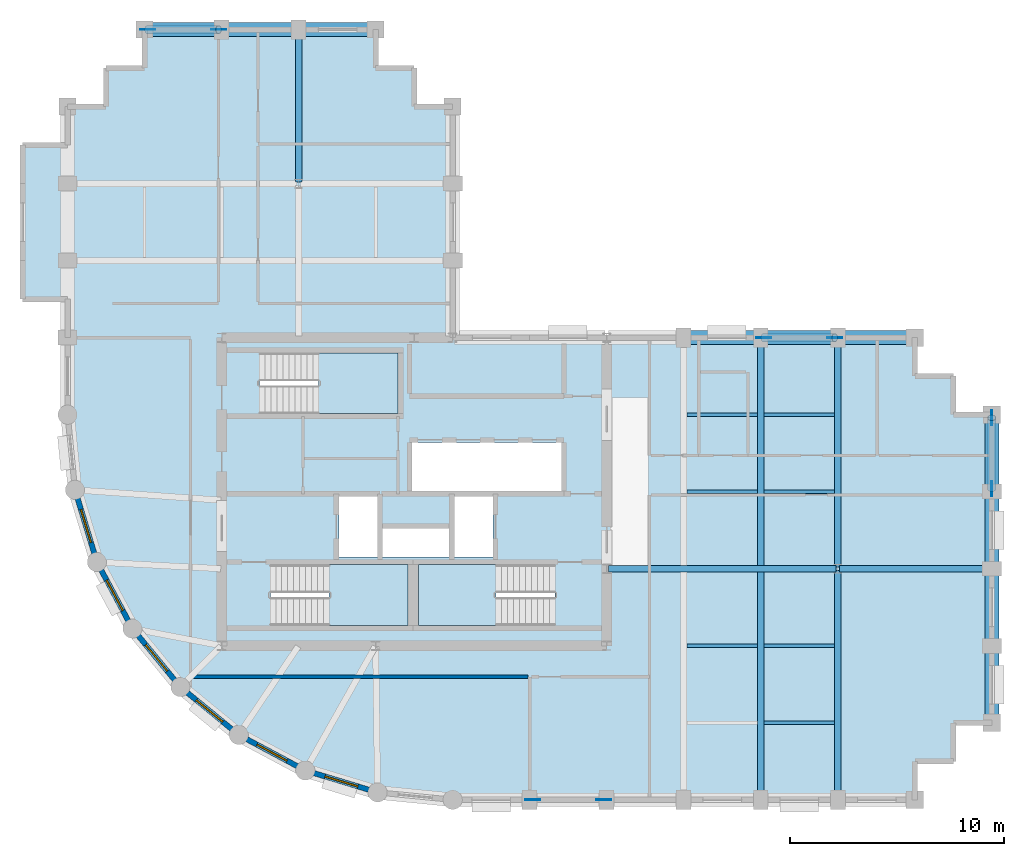
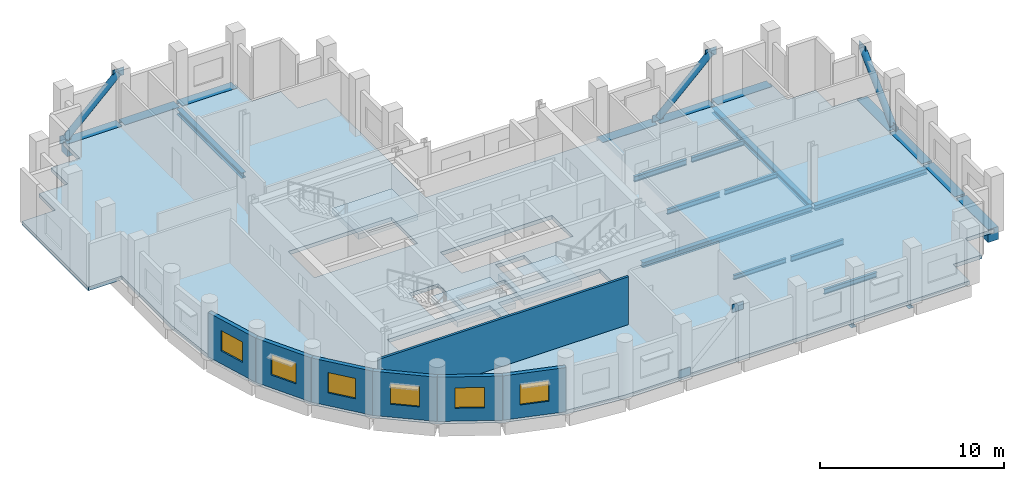
# One storey, part 2 of 8: 23 beams, 8 plates, 7 walls, 6 windows, 4 slabs, 3 members, 6 openings, 3 elements without a shape of their own.
"""IFC4 building model written with IfcOpenShell, lengths in metres."""

import ifcopenshell
import ifcopenshell.guid

model = None  # the IFC model being written
_history = None  # IfcOwnerHistory: only IFC2X3 demands one
_inside = {}  # id of a spatial element -> (the spatial element, [elements in it])
_under = {}  # id of a project, library or spatial element -> (it, [spatial elements below it])
_declared = {}  # id of a project -> (the project, [libraries it declares])
_typed = {}  # id of a type object -> (the type object, [elements of that type])
_made_of = {}  # id of a material, layer set ... -> (it, [elements and type objects made of it])


def new_model(schema):
    """Start an empty IFC model of exactly this schema.

    Asked for "IFC4X3", IfcOpenShell would pick the latest addendum, in which some entities
    have other attributes; the version numbers below select the first issue.
    IFC2X3 requires an IfcOwnerHistory on every rooted entity: one is made here for all.
    """
    global model, _history
    if schema == "IFC4X3":
        model = ifcopenshell.file(schema_version=(4, 3, 0, 0))
    else:
        model = ifcopenshell.file(schema=schema)
    _inside.clear()
    _under.clear()
    _declared.clear()
    _typed.clear()
    _made_of.clear()
    _history = None
    if model.schema == "IFC2X3":
        org = make("IfcOrganization", Name="unknown")
        user = make(
            "IfcPersonAndOrganization",
            ThePerson=make("IfcPerson", FamilyName="unknown"),
            TheOrganization=org,
        )
        app = make(
            "IfcApplication",
            ApplicationDeveloper=org,
            Version="unknown",
            ApplicationFullName="unknown",
            ApplicationIdentifier="unknown",
        )
        _history = make(
            "IfcOwnerHistory",
            OwningUser=user,
            OwningApplication=app,
            ChangeAction="ADDED",
            CreationDate=0,
        )
    return model


def make(cls, **values):
    """One entity of the class cls with the attributes given. An attribute that is None is left unset."""
    return model.create_entity(
        cls, **{name: value for name, value in values.items() if value is not None}
    )


def rooted(cls, **values):
    """An entity with a GlobalId (a new one), such as an element, a storey or a relation."""
    return make(cls, GlobalId=ifcopenshell.guid.new(), OwnerHistory=_history, **values)


def si_unit(unit_type, name, prefix=None):
    """IfcSIUnit, for example si_unit("LENGTHUNIT", "METRE", prefix="MILLI")."""
    return make("IfcSIUnit", UnitType=unit_type, Prefix=prefix, Name=name)


def assignment(units):
    """IfcUnitAssignment: the units of a project."""
    return None if units is None else make("IfcUnitAssignment", Units=units)


def point(xyz):
    """IfcCartesianPoint."""
    return None if xyz is None else make("IfcCartesianPoint", Coordinates=xyz)


def direction(xyz):
    """IfcDirection."""
    return None if xyz is None else make("IfcDirection", DirectionRatios=xyz)


def frame(location, z_axis=None, x_axis=None):
    """IfcAxis2Placement3D, a coordinate frame: its origin and axes. An axis left out is left unset."""
    return make(
        "IfcAxis2Placement3D",
        Location=point(location),
        Axis=direction(z_axis),
        RefDirection=direction(x_axis),
    )


def frame_2d(location, x_axis=None):
    """IfcAxis2Placement2D, a coordinate frame in the plane: its origin and x axis."""
    return make(
        "IfcAxis2Placement2D", Location=point(location), RefDirection=direction(x_axis)
    )


def origin():
    """The frame at (0, 0, 0) with its axes left unset."""
    return frame((0.0, 0.0, 0.0))


def origin_2d():
    """The frame at (0, 0) in the plane with its x axis left unset."""
    return frame_2d((0.0, 0.0))


def place(relative_to, where):
    """IfcLocalPlacement: puts the frame where relative to a parent placement (None: the world)."""
    return make(
        "IfcLocalPlacement", PlacementRelTo=relative_to, RelativePlacement=where
    )


def context(
    kind, dimensions, precision=None, world=None, true_north=None, identifier=None
):
    """IfcGeometricRepresentationContext, for example the 3D "Model" context."""
    return make(
        "IfcGeometricRepresentationContext",
        ContextIdentifier=identifier,
        ContextType=kind,
        CoordinateSpaceDimension=dimensions,
        Precision=precision,
        WorldCoordinateSystem=world,
        TrueNorth=true_north,
    )


def subcontext(parent, identifier, kind, view, scale=None):
    """IfcGeometricRepresentationSubContext, for example "Body" below "Model"."""
    return make(
        "IfcGeometricRepresentationSubContext",
        ContextIdentifier=identifier,
        ContextType=kind,
        ParentContext=parent,
        TargetScale=scale,
        TargetView=view,
    )


def project(units=None, contexts=None):
    """IfcProject with its units and contexts."""
    return rooted(
        "IfcProject",
        Name="project",
        RepresentationContexts=contexts,
        UnitsInContext=assignment(units),
    )


def spatial(cls, under=None, at=None, **own):
    """A site, building, storey or space (cls), placed at a placement, below another one or the project."""
    s = rooted(cls, ObjectPlacement=at, **own)
    if under is not None:
        _under.setdefault(under.id(), (under, []))[1].append(s)
    return s


def polyline(points):
    """IfcPolyline through the points."""
    return make("IfcPolyline", Points=[point(p) for p in points])


def profile(cls, at=None, kind="AREA", **sizes):
    """A parametric profile (cls). Its sizes go by their IFC names, for example OverallWidth=200.0."""
    return make(cls, ProfileType=kind, Position=at, **sizes)


def rectangle(**sizes):
    """IfcRectangleProfileDef."""
    return profile("IfcRectangleProfileDef", **sizes)


def hollow_circle(**sizes):
    """IfcCircleHollowProfileDef."""
    return profile("IfcCircleHollowProfileDef", **sizes)


def i_section(**sizes):
    """IfcIShapeProfileDef."""
    return profile("IfcIShapeProfileDef", **sizes)


def outline(outer, holes=None, kind="AREA"):
    """IfcArbitraryClosedProfileDef: a profile drawn as a closed curve; with holes, ...WithVoids."""
    if holes is None:
        return make("IfcArbitraryClosedProfileDef", ProfileType=kind, OuterCurve=outer)
    return make(
        "IfcArbitraryProfileDefWithVoids",
        ProfileType=kind,
        OuterCurve=outer,
        InnerCurves=holes,
    )


def extrude(swept, where, along, depth):
    """IfcExtrudedAreaSolid: the profile swept, set in the frame where, extruded along a direction by depth."""
    return make(
        "IfcExtrudedAreaSolid",
        SweptArea=swept,
        Position=where,
        ExtrudedDirection=direction(along),
        Depth=depth,
    )


def shape(context_of_items, identifier, shape_type, items):
    """IfcShapeRepresentation: the items that make up one representation, for example the "Body"."""
    return make(
        "IfcShapeRepresentation",
        ContextOfItems=context_of_items,
        RepresentationIdentifier=identifier,
        RepresentationType=shape_type,
        Items=items,
    )


def material(Name=None, Category=None):
    """IfcMaterial."""
    return make("IfcMaterial", Name=Name, Category=Category)


def layer(
    of_material, thickness, ventilated=None, Name=None, Category=None, Priority=None
):
    """IfcMaterialLayer: one layer of a wall or slab, of a material (None: an air gap)."""
    return make(
        "IfcMaterialLayer",
        Material=of_material,
        LayerThickness=thickness,
        IsVentilated=ventilated,
        Name=Name,
        Category=Category,
        Priority=Priority,
    )


def layer_set(layers, Name=None):
    """IfcMaterialLayerSet."""
    return make("IfcMaterialLayerSet", MaterialLayers=layers, LayerSetName=Name)


def material_profile(
    of_material, cross_section, Name=None, Category=None, Priority=None
):
    """IfcMaterialProfile: a cross section and its material."""
    return make(
        "IfcMaterialProfile",
        Name=Name,
        Material=of_material,
        Profile=cross_section,
        Priority=Priority,
        Category=Category,
    )


def profile_set(profiles, Name=None, composite=None):
    """IfcMaterialProfileSet."""
    return make(
        "IfcMaterialProfileSet",
        Name=Name,
        MaterialProfiles=profiles,
        CompositeProfile=composite,
    )


def made_of(thing, what):
    """Note that an element or type object is made of a material, layer set ...; save() writes the relation."""
    if what is not None:
        _made_of.setdefault(what.id(), (what, []))[1].append(thing)
    return thing


def type_object(cls, material=None, **own):
    """A type object (cls), such as IfcWallType, which elements share."""
    return made_of(rooted(cls, **own), material)


def element(
    cls,
    number,
    at=None,
    inside=None,
    cuts=None,
    type_object=None,
    material=None,
    context=None,
    identifier="Body",
    shape_type=None,
    held_by="IfcProductDefinitionShape",
    body=None,
    shapes=None,
    **own,
):
    """One element of the class cls, such as IfcWall. Its Tag is "e" and its number.

    at: its placement. inside: the storey or other place that contains it. cuts: it is an
    opening in that element (IfcRelVoidsElement). A single representation is given by context,
    identifier, shape_type and body (its items); several are given by shapes. held_by: the class
    of the entity that holds the representations. save() writes the other relations.
    """
    e = rooted(cls, Tag="e%d" % number, ObjectPlacement=at, **own)
    if body is not None:
        shapes = [shape(context, identifier, shape_type, body)]
    if shapes is not None:
        e.Representation = make(held_by, Representations=shapes)
    if inside is not None:
        _inside.setdefault(inside.id(), (inside, []))[1].append(e)
    if cuts is not None:
        rooted(
            "IfcRelVoidsElement", RelatingBuildingElement=cuts, RelatedOpeningElement=e
        )
    if type_object is not None:
        _typed.setdefault(type_object.id(), (type_object, []))[1].append(e)
    return made_of(e, material)


def fill(opening, filler):
    """IfcRelFillsElement: the door or window that sits in an opening."""
    return rooted(
        "IfcRelFillsElement",
        RelatingOpeningElement=opening,
        RelatedBuildingElement=filler,
    )


def aggregate(whole, parts):
    """IfcRelAggregates: a whole, such as a stair, and the parts it consists of."""
    return rooted("IfcRelAggregates", RelatingObject=whole, RelatedObjects=parts)


def save(model, path):
    """Write the relations noted so far, then the file.

    IfcRelAggregates (storeys below a building ...), IfcRelContainedInSpatialStructure (elements
    in a storey), IfcRelDefinesByType, IfcRelAssociatesMaterial and IfcRelDeclares: one each for
    every whole, place, type object, material and project.
    """
    for whole, parts in _under.values():
        aggregate(whole, parts)
    for where, things in _inside.values():
        rooted(
            "IfcRelContainedInSpatialStructure",
            RelatedElements=things,
            RelatingStructure=where,
        )
    for kind, things in _typed.values():
        rooted("IfcRelDefinesByType", RelatedObjects=things, RelatingType=kind)
    for what, things in _made_of.values():
        rooted("IfcRelAssociatesMaterial", RelatedObjects=things, RelatingMaterial=what)
    for by, libraries in _declared.values():
        rooted("IfcRelDeclares", RelatingContext=by, RelatedDefinitions=libraries)
    model.write(path)


model = new_model("IFC4")

# Units and contexts
model_context = context("Model", 3, precision=1e-05, world=origin(), true_north=direction((0.0, 1.0)))
body_context = subcontext(model_context, "Body", "Model", "MODEL_VIEW")
ifc_project = project(units=[si_unit("LENGTHUNIT", "METRE"), si_unit("AREAUNIT", "SQUARE_METRE"), si_unit("VOLUMEUNIT", "CUBIC_METRE"), si_unit("PLANEANGLEUNIT", "RADIAN"), si_unit("MASSUNIT", "GRAM", prefix="KILO")], contexts=[model_context])

# Site, building, storey
site_placement = place(None, origin())
site = spatial("IfcSite", under=ifc_project, at=site_placement, CompositionType="ELEMENT")
building_placement = place(site_placement, origin())
building = spatial("IfcBuilding", under=site, at=building_placement, Name="Solnavia Interchange Tower", CompositionType="ELEMENT")
storey_placement = place(building_placement, frame((0.0, 0.0, 190.0)))
storey = spatial("IfcBuildingStorey", under=building, at=storey_placement, Name="L47", CompositionType="ELEMENT", Elevation=190.0)

# Beams
ifc_material_1 = material(Name="Steel S460", Category="steel")
ifc_material_profile_1 = material_profile(ifc_material_1, i_section(OverallWidth=0.300048828125, OverallDepth=0.360107421875, WebThickness=0.012451171875, FlangeThickness=0.0224609375, FilletRadius=0.027099609375, at=origin_2d()), Name="HEB 360")
ifc_profile_set_1 = profile_set([ifc_material_profile_1], Name="Steel S460")
beam_type_1 = type_object("IfcBeamType", Name="Beam-Girder-HEB360", PredefinedType="BEAM", material=ifc_profile_set_1)
beam_1_placement = place(storey_placement, frame((32.47998046875, 14.39990234375, -0.429931640625), z_axis=(1.0, 0.0, 0.0), x_axis=(0.0, 1.0, 0.0)))
element("IfcBeam", 1, at=beam_1_placement, inside=storey, type_object=beam_type_1, Name="GRD-L47-ES01 East wing spine girder", PredefinedType="BEAM", context=body_context, shape_type="SweptSolid", body=[
    extrude(i_section(OverallWidth=0.300048828125, OverallDepth=0.360107421875, WebThickness=0.012451171875, FlangeThickness=0.0224609375, FilletRadius=0.027099609375, at=origin_2d()), origin(), (0.0, 0.0, 1.0), 10.64013671875),
])
beam_2_placement = place(storey_placement, frame((43.280029296875, 14.39990234375, -0.429931640625), z_axis=(1.0, 0.0, 0.0), x_axis=(0.0, 1.0, 0.0)))
element("IfcBeam", 2, at=beam_2_placement, inside=storey, type_object=beam_type_1, Name="GRD-L47-ES02 East wing spine girder", PredefinedType="BEAM", context=body_context, shape_type="SweptSolid", body=[
    extrude(i_section(OverallWidth=0.300048828125, OverallDepth=0.360107421875, WebThickness=0.012451171875, FlangeThickness=0.0224609375, FilletRadius=0.027099609375, at=origin_2d()), origin(), (0.0, 0.0, 1.0), 7.0400390625),
])
beam_3_placement = place(storey_placement, frame((39.60009765625, 3.679931640625, -0.429931640625), z_axis=(0.0, 1.0, 0.0), x_axis=(-1.0, 0.0, 0.0)))
element("IfcBeam", 3, at=beam_3_placement, inside=storey, type_object=beam_type_1, Name="GRD-L47-EW04 East wing primary floor girder", PredefinedType="BEAM", context=body_context, shape_type="SweptSolid", body=[
    extrude(i_section(OverallWidth=0.300048828125, OverallDepth=0.360107421875, WebThickness=0.012451171875, FlangeThickness=0.0224609375, FilletRadius=0.027099609375, at=origin_2d()), origin(), (0.0, 0.0, 1.0), 21.440185546875),
])
beam_4_placement = place(storey_placement, frame((18.0, 32.47998046875, -0.429931640625), z_axis=(0.0, 1.0, 0.0), x_axis=(-1.0, 0.0, 0.0)))
element("IfcBeam", 4, at=beam_4_placement, inside=storey, type_object=beam_type_1, Name="GRD-L47-NS08 North wing spine girder", PredefinedType="BEAM", context=body_context, shape_type="SweptSolid", body=[
    extrude(i_section(OverallWidth=0.300048828125, OverallDepth=0.360107421875, WebThickness=0.012451171875, FlangeThickness=0.0224609375, FilletRadius=0.027099609375, at=origin_2d()), origin(), (0.0, 0.0, 1.0), 7.0400390625),
])
ifc_material_2 = material(Name="Steel S355", Category="steel")
ifc_material_profile_2 = material_profile(ifc_material_2, i_section(OverallWidth=0.14990234375, OverallDepth=0.300048828125, WebThickness=0.007080078125, FlangeThickness=0.0107421875, FilletRadius=0.014892578125, at=origin_2d()), Name="IPE 300")
ifc_profile_set_2 = profile_set([ifc_material_profile_2], Name="Steel S355")
beam_type_2 = type_object("IfcBeamType", Name="Beam-Joist-IPE300", PredefinedType="JOIST", material=ifc_profile_set_2)
for number, where, z_axis, x_axis, name in (
    (5, (36.14990234375, 10.800048828125, -0.39990234375), (1.0, 0.0, 0.0), (0.0, 1.0, 0.0), "JST-L47-E03 East wing secondary joist"),
    (6, (39.75, 18.0, -0.39990234375), (1.0, 0.0, 0.0), (0.0, 1.0, 0.0), "JST-L47-E06 East wing secondary joist"),
):
    element("IfcBeam", number, at=place(storey_placement, frame(where, z_axis=z_axis, x_axis=x_axis)), inside=storey, type_object=beam_type_2, Name=name, PredefinedType="JOIST", context=body_context, shape_type="SweptSolid", body=[
        extrude(i_section(OverallWidth=0.14990234375, OverallDepth=0.300048828125, WebThickness=0.007080078125, FlangeThickness=0.0107421875, FilletRadius=0.014892578125, at=origin_2d()), origin(), (0.0, 0.0, 1.0), 3.300048828125),
    ])
ifc_material_profile_3 = material_profile(ifc_material_2, i_section(OverallWidth=0.159912109375, OverallDepth=0.330078125, WebThickness=0.007568359375, FlangeThickness=0.011474609375, FilletRadius=0.01806640625, at=origin_2d()), Name="IPE 330")
ifc_profile_set_3 = profile_set([ifc_material_profile_3], Name="Steel S355")
beam_type_3 = type_object("IfcBeamType", Name="Beam-Joist-IPE330", PredefinedType="JOIST", material=ifc_profile_set_3)
for number, where, z_axis, x_axis, name in (
    (7, (39.75, 7.199951171875, -0.4150390625), (1.0, 0.0, 0.0), (0.0, 1.0, 0.0), "JST-L47-E02 East wing secondary joist"),
    (8, (36.14990234375, 18.0, -0.4150390625), (1.0, 0.0, 0.0), (0.0, 1.0, 0.0), "JST-L47-E05 East wing secondary joist"),
    (9, (39.75, 21.60009765625, -0.4150390625), (1.0, 0.0, 0.0), (0.0, 1.0, 0.0), "JST-L47-E08 East wing secondary joist"),
):
    element("IfcBeam", number, at=place(storey_placement, frame(where, z_axis=z_axis, x_axis=x_axis)), inside=storey, type_object=beam_type_3, Name=name, PredefinedType="JOIST", context=body_context, shape_type="SweptSolid", body=[
        extrude(i_section(OverallWidth=0.159912109375, OverallDepth=0.330078125, WebThickness=0.007568359375, FlangeThickness=0.011474609375, FilletRadius=0.01806640625, at=origin_2d()), origin(), (0.0, 0.0, 1.0), 3.300048828125),
    ])
ifc_material_profile_4 = material_profile(ifc_material_2, i_section(OverallWidth=0.169921875, OverallDepth=0.360107421875, WebThickness=0.008056640625, FlangeThickness=0.0126953125, FilletRadius=0.01806640625, at=origin_2d()), Name="IPE 360")
ifc_profile_set_4 = profile_set([ifc_material_profile_4], Name="Steel S355")
beam_type_4 = type_object("IfcBeamType", Name="Beam-Joist-IPE360", PredefinedType="JOIST", material=ifc_profile_set_4)
for number, where, z_axis, x_axis, name in (
    (10, (39.75, 10.800048828125, -0.429931640625), (1.0, 0.0, 0.0), (0.0, 1.0, 0.0), "JST-L47-E04 East wing secondary joist"),
    (11, (36.14990234375, 21.60009765625, -0.429931640625), (1.0, 0.0, 0.0), (0.0, 1.0, 0.0), "JST-L47-E07 East wing secondary joist"),
):
    element("IfcBeam", number, at=place(storey_placement, frame(where, z_axis=z_axis, x_axis=x_axis)), inside=storey, type_object=beam_type_4, Name=name, PredefinedType="JOIST", context=body_context, shape_type="SweptSolid", body=[
        extrude(i_section(OverallWidth=0.169921875, OverallDepth=0.360107421875, WebThickness=0.008056640625, FlangeThickness=0.0126953125, FilletRadius=0.01806640625, at=origin_2d()), origin(), (0.0, 0.0, 1.0), 3.300048828125),
    ])
ifc_material_profile_5 = material_profile(ifc_material_2, i_section(OverallWidth=0.300048828125, OverallDepth=0.35009765625, WebThickness=0.010009765625, FlangeThickness=0.017578125, FilletRadius=0.027099609375, at=origin_2d()), Name="HEA 360")
ifc_profile_set_5 = profile_set([ifc_material_profile_5], Name="Steel S355")
beam_type_5 = type_object("IfcBeamType", Name="Beam-Primary-HEA360", PredefinedType="BEAM", material=ifc_profile_set_5)
for number, where, z_axis, x_axis, name in (
    (12, (43.199951171875, 3.679931640625, -0.425048828125), (0.0, 1.0, 0.0), (-1.0, 0.0, 0.0), "GRD-L47-EW05 East wing primary floor girder"),
    (13, (43.199951171875, 14.47998046875, -0.425048828125), (0.0, 1.0, 0.0), (-1.0, 0.0, 0.0), "GRD-L47-EW06 East wing primary floor girder"),
):
    element("IfcBeam", number, at=place(storey_placement, frame(where, z_axis=z_axis, x_axis=x_axis)), inside=storey, type_object=beam_type_5, Name=name, PredefinedType="BEAM", context=body_context, shape_type="SweptSolid", body=[
        extrude(i_section(OverallWidth=0.300048828125, OverallDepth=0.35009765625, WebThickness=0.010009765625, FlangeThickness=0.017578125, FilletRadius=0.027099609375, at=origin_2d()), origin(), (0.0, 0.0, 1.0), 10.64013671875),
    ])
ifc_material_3 = material(Name="Concrete C50/60", Category="concrete")
ifc_material_profile_6 = material_profile(ifc_material_3, rectangle(XDim=0.64990234375, YDim=0.85009765625, at=origin_2d()), Name="RC 650x850")
ifc_profile_set_6 = profile_set([ifc_material_profile_6], Name="Concrete C50/60")
beam_type_6 = type_object("IfcBeamType", Name="Beam-Spandrel-RC650x850", PredefinedType="SPANDREL", material=ifc_profile_set_6)
beam_5_placement = place(storey_placement, frame((50.39990234375, 7.280029296875, -0.425048828125), z_axis=(0.0, 1.0, 0.0), x_axis=(-1.0, 0.0, 0.0)))
element("IfcBeam", 14, at=beam_5_placement, inside=storey, type_object=beam_type_6, Name="SPB-L47-15 Framed-tube perimeter spandrel beam", PredefinedType="SPANDREL", context=body_context, shape_type="SweptSolid", body=[
    extrude(rectangle(XDim=0.64990234375, YDim=0.85009765625, at=origin_2d()), origin(), (0.0, 0.0, 1.0), 3.43994140625),
])
beam_6_placement = place(storey_placement, frame((50.39990234375, 10.8798828125, -0.425048828125), z_axis=(0.0, 1.0, 0.0), x_axis=(-1.0, 0.0, 0.0)))
element("IfcBeam", 15, at=beam_6_placement, inside=storey, type_object=beam_type_6, Name="SPB-L47-16 Framed-tube perimeter spandrel beam", PredefinedType="SPANDREL", context=body_context, shape_type="SweptSolid", body=[
    extrude(rectangle(XDim=0.64990234375, YDim=0.85009765625, at=origin_2d()), origin(), (0.0, 0.0, 1.0), 3.440185546875),
])
for number, where, z_axis, x_axis, name in (
    (16, (50.39990234375, 14.47998046875, -0.425048828125), (0.0, 1.0, 0.0), (-1.0, 0.0, 0.0), "SPB-L47-17 Framed-tube perimeter spandrel beam"),
    (17, (50.39990234375, 18.080078125, -0.425048828125), (0.0, 1.0, 0.0), (-1.0, 0.0, 0.0), "SPB-L47-18 Framed-tube perimeter spandrel beam"),
    (18, (46.719970703125, 25.199951171875, -0.425048828125), (-1.0, 0.0, 0.0), (0.0, -1.0, 0.0), "SPB-L47-19 Framed-tube perimeter spandrel beam"),
):
    element("IfcBeam", number, at=place(storey_placement, frame(where, z_axis=z_axis, x_axis=x_axis)), inside=storey, type_object=beam_type_6, Name=name, PredefinedType="SPANDREL", context=body_context, shape_type="SweptSolid", body=[
        extrude(rectangle(XDim=0.64990234375, YDim=0.85009765625, at=origin_2d()), origin(), (0.0, 0.0, 1.0), 3.43994140625),
    ])
beam_7_placement = place(storey_placement, frame((43.1201171875, 25.199951171875, -0.425048828125), z_axis=(-1.0, 0.0, 0.0), x_axis=(0.0, -1.0, 0.0)))
element("IfcBeam", 19, at=beam_7_placement, inside=storey, type_object=beam_type_6, Name="SPB-L47-20 Framed-tube perimeter spandrel beam", PredefinedType="SPANDREL", context=body_context, shape_type="SweptSolid", body=[
    extrude(rectangle(XDim=0.64990234375, YDim=0.85009765625, at=origin_2d()), origin(), (0.0, 0.0, 1.0), 3.440185546875),
])
for number, where, z_axis, x_axis, name in (
    (20, (39.52001953125, 25.199951171875, -0.425048828125), (-1.0, 0.0, 0.0), (0.0, -1.0, 0.0), "SPB-L47-21 Framed-tube perimeter spandrel beam"),
    (21, (21.52001953125, 39.60009765625, -0.425048828125), (-1.0, 0.0, 0.0), (0.0, -1.0, 0.0), "SPB-L47-27 Framed-tube perimeter spandrel beam"),
    (22, (17.919921875, 39.60009765625, -0.425048828125), (-1.0, 0.0, 0.0), (0.0, -1.0, 0.0), "SPB-L47-28 Framed-tube perimeter spandrel beam"),
):
    element("IfcBeam", number, at=place(storey_placement, frame(where, z_axis=z_axis, x_axis=x_axis)), inside=storey, type_object=beam_type_6, Name=name, PredefinedType="SPANDREL", context=body_context, shape_type="SweptSolid", body=[
        extrude(rectangle(XDim=0.64990234375, YDim=0.85009765625, at=origin_2d()), origin(), (0.0, 0.0, 1.0), 3.43994140625),
    ])
beam_8_placement = place(storey_placement, frame((14.320068359375, 39.60009765625, -0.425048828125), z_axis=(-1.0, 0.0, 0.0), x_axis=(0.0, -1.0, 0.0)))
element("IfcBeam", 23, at=beam_8_placement, inside=storey, type_object=beam_type_6, Name="SPB-L47-29 Framed-tube perimeter spandrel beam", PredefinedType="SPANDREL", context=body_context, shape_type="SweptSolid", body=[
    extrude(rectangle(XDim=0.64990234375, YDim=0.85009765625, at=origin_2d()), origin(), (0.0, 0.0, 1.0), 3.440185546875),
])

# Members
ifc_material_profile_7 = material_profile(ifc_material_1, hollow_circle(Radius=0.203125, WallThickness=0.02001953125, at=origin_2d()), Name="CHS 406.4x20")
ifc_profile_set_7 = profile_set([ifc_material_profile_7], Name="Steel S460")
member_type = type_object("IfcMemberType", Name="Brace-Perim-CHS406", PredefinedType="BRACE", material=ifc_profile_set_7)
for number, where, z_axis, x_axis, name in (
    (24, (50.39990234375, 18.139892578125, 0.179931640625), (0.0, 0.721070427335, 0.692861774688), (-1.0, 0.0, 0.0), "BRC-L47-02 Perimeter tube diagonal brace"),
    (25, (10.93994140625, 39.60009765625, 0.179931640625), (0.721070427335, 0.0, 0.692861774688), (0.0, 1.0, 0.0), "BRC-L47-03 Perimeter tube diagonal brace"),
    (26, (39.739990234375, 25.199951171875, 0.179931640625), (0.721070427335, 0.0, 0.692861774688), (0.0, 1.0, 0.0), "BRC-L47-04 Perimeter tube diagonal brace"),
):
    element("IfcMember", number, at=place(storey_placement, frame(where, z_axis=z_axis, x_axis=x_axis)), inside=storey, type_object=member_type, Name=name, PredefinedType="BRACE", context=body_context, shape_type="SweptSolid", body=[
        extrude(hollow_circle(Radius=0.203125, WallThickness=0.02001953125, at=origin_2d()), origin(), (0.0, 0.0, 1.0), 4.604248046875),
    ])

# Plates
ifc_layer_1 = layer(ifc_material_1, 0.030029296875)
ifc_layer_set_1 = layer_set([ifc_layer_1], Name="Steel S460")
plate_type = type_object("IfcPlateType", Name="Plate-Gusset-700x520x30", PredefinedType="USERDEFINED", material=ifc_layer_set_1)
for number, where, z_axis, x_axis, name in (
    (27, (28.93994140625, 3.60009765625, -0.080078125), (0.0, 0.0, 1.0), (1.0, 0.0, 0.0), "PLT-L47-GP01 Perimeter brace gusset plate"),
    (28, (32.260009765625, 3.60009765625, 3.110107421875), (0.0, 0.0, 1.0), (1.0, 0.0, 0.0), "PLT-L47-GP02 Perimeter brace gusset plate"),
    (29, (50.39990234375, 18.139892578125, -0.080078125), (0.0, 0.0, 1.0), (0.0, 1.0, 0.0), "PLT-L47-GP03 Perimeter brace gusset plate"),
    (30, (50.39990234375, 21.4599609375, 3.110107421875), (0.0, 0.0, 1.0), (0.0, 1.0, 0.0), "PLT-L47-GP04 Perimeter brace gusset plate"),
    (31, (10.93994140625, 39.60009765625, -0.080078125), (0.0, 0.0, 1.0), (1.0, 0.0, 0.0), "PLT-L47-GP05 Perimeter brace gusset plate"),
    (32, (14.260009765625, 39.60009765625, 3.110107421875), (0.0, 0.0, 1.0), (1.0, 0.0, 0.0), "PLT-L47-GP06 Perimeter brace gusset plate"),
    (33, (39.739990234375, 25.199951171875, -0.080078125), (0.0, 0.0, 1.0), (1.0, 0.0, 0.0), "PLT-L47-GP07 Perimeter brace gusset plate"),
    (34, (43.06005859375, 25.199951171875, 3.110107421875), (0.0, 0.0, 1.0), (1.0, 0.0, 0.0), "PLT-L47-GP08 Perimeter brace gusset plate"),
):
    element("IfcPlate", number, at=place(storey_placement, frame(where, z_axis=z_axis, x_axis=x_axis)), inside=storey, type_object=plate_type, Name=name, ObjectType="GUSSET PLATE", PredefinedType="USERDEFINED", context=body_context, shape_type="SweptSolid", body=[
        extrude(rectangle(XDim=0.699951171875, YDim=0.030029296875, at=origin_2d()), origin(), (0.0, 0.0, 1.0), 0.52001953125),
    ])

# Stair, slab
ifc_material_4 = material(Name="Concrete C40/50", Category="concrete")
stair_type = type_object("IfcStairType", Name="Stair-Dogleg-RC", PredefinedType="HALF_TURN_STAIR", material=ifc_material_4)
stair_1_placement = place(storey_placement, origin())
stair_1 = element("IfcStair", 35, at=stair_1_placement, inside=storey, type_object=stair_type, Name="L47 Core exit stair 1", PredefinedType="HALF_TURN_STAIR")
ifc_layer_2 = layer(ifc_material_4, 0.35009765625)
ifc_layer_set_2 = layer_set([ifc_layer_2], Name="Concrete C40/50")
slab_type_1 = type_object("IfcSlabType", Name="Slab-StairLanding-350", PredefinedType="LANDING", material=ifc_layer_set_2)
slab_1_placement = place(storey_placement, frame((0.0, 0.0, 1.550048828125)))
slab_1 = element("IfcSlab", 36, at=slab_1_placement, type_object=slab_type_1, Name="ST-1 landing 1", PredefinedType="LANDING", context=body_context, shape_type="SweptSolid", body=[
    extrude(outline(polyline([(19.427978515625, 11.75), (23.10009765625, 11.75), (23.10009765625, 14.590087890625), (19.427978515625, 14.590087890625), (19.427978515625, 11.75)])), origin(), (0.0, 0.0, 1.0), 0.349853515625),
])
aggregate(stair_1, [slab_1])

stair_2_placement = place(storey_placement, origin())
stair_2 = element("IfcStair", 37, at=stair_2_placement, inside=storey, type_object=stair_type, Name="L47 Core exit stair 2", PredefinedType="HALF_TURN_STAIR")
slab_2_placement = place(storey_placement, frame((0.0, 0.0, 1.550048828125)))
slab_2 = element("IfcSlab", 38, at=slab_2_placement, type_object=slab_type_1, Name="ST-2 landing 1", PredefinedType="LANDING", context=body_context, shape_type="SweptSolid", body=[
    extrude(outline(polyline([(23.60009765625, 11.75), (27.221923828125, 11.75), (27.221923828125, 14.590087890625), (23.60009765625, 14.590087890625), (23.60009765625, 11.75)])), origin(), (0.0, 0.0, 1.0), 0.349853515625),
])
aggregate(stair_2, [slab_2])

stair_3_placement = place(storey_placement, origin())
stair_3 = element("IfcStair", 39, at=stair_3_placement, inside=storey, type_object=stair_type, Name="L47 Core exit stair 3", PredefinedType="HALF_TURN_STAIR")
slab_3_placement = place(storey_placement, frame((0.0, 0.0, 1.550048828125)))
slab_3 = element("IfcSlab", 40, at=slab_3_placement, type_object=slab_type_1, Name="ST-3 landing 1", PredefinedType="LANDING", context=body_context, shape_type="SweptSolid", body=[
    extrude(outline(polyline([(18.927978515625, 21.64990234375), (22.64990234375, 21.64990234375), (22.64990234375, 24.489990234375), (18.927978515625, 24.489990234375), (18.927978515625, 21.64990234375)])), origin(), (0.0, 0.0, 1.0), 0.349853515625),
])
aggregate(stair_3, [slab_3])

# Slab
ifc_layer_3 = layer(ifc_material_4, 0.25)
ifc_layer_set_3 = layer_set([ifc_layer_3], Name="Concrete C40/50")
slab_type_2 = type_object("IfcSlabType", Name="Slab-Tower-250", PredefinedType="FLOOR", material=ifc_layer_set_3)
slab_4_placement = place(storey_placement, frame((0.0, 0.0, -0.25)))
element("IfcSlab", 41, at=slab_4_placement, inside=storey, type_object=slab_type_2, Name="SLB-L47-01 Structural floor slab", PredefinedType="FLOOR", context=body_context, shape_type="SweptSolid", body=[
    extrude(outline(polyline([(25.199951171875, 3.60009765625), (46.800048828125, 3.60009765625), (46.800048828125, 5.39990234375), (48.60009765625, 5.39990234375), (48.60009765625, 7.199951171875), (50.39990234375, 7.199951171875), (50.39990234375, 21.60009765625), (48.60009765625, 21.60009765625), (48.60009765625, 23.39990234375), (46.800048828125, 23.39990234375), (46.800048828125, 25.199951171875), (25.199951171875, 25.199951171875), (25.199951171875, 36.0), (23.39990234375, 36.0), (23.39990234375, 37.800048828125), (21.60009765625, 37.800048828125), (21.60009765625, 39.60009765625), (10.800048828125, 39.60009765625), (10.800048828125, 37.800048828125), (9.0, 37.800048828125), (9.0, 36.0), (7.199951171875, 36.0), (7.199951171875, 34.199951171875), (5.10009765625, 34.199951171875), (5.10009765625, 27.0), (7.199951171875, 27.0), (7.199951171875, 21.60009765625), (7.5458984375, 18.087890625), (8.570068359375, 14.7119140625), (10.23388671875, 11.60009765625), (12.471923828125, 8.8720703125), (15.199951171875, 6.634033203125), (18.31201171875, 4.969970703125), (21.68798828125, 3.946044921875), (25.199951171875, 3.60009765625)]), holes=[polyline([(16.675048828125, 11.75), (23.10009765625, 11.75), (23.10009765625, 14.590087890625), (16.675048828125, 14.590087890625), (16.675048828125, 11.75)]), polyline([(23.60009765625, 11.75), (29.97509765625, 11.75), (29.97509765625, 14.590087890625), (23.60009765625, 14.590087890625), (23.60009765625, 11.75)]), polyline([(16.175048828125, 21.64990234375), (22.64990234375, 21.64990234375), (22.64990234375, 24.489990234375), (16.175048828125, 24.489990234375), (16.175048828125, 21.64990234375)]), polyline([(19.8798828125, 14.9599609375), (21.679931640625, 14.9599609375), (21.679931640625, 17.780029296875), (19.8798828125, 17.780029296875), (19.8798828125, 14.9599609375)]), polyline([(25.280029296875, 14.9599609375), (27.080078125, 14.9599609375), (27.080078125, 17.780029296875), (25.280029296875, 17.780029296875), (25.280029296875, 14.9599609375)]), polyline([(21.919921875, 14.9599609375), (25.02001953125, 14.9599609375), (25.02001953125, 16.280029296875), (21.919921875, 16.280029296875), (21.919921875, 14.9599609375)]), polyline([(23.300048828125, 18.02001953125), (30.280029296875, 18.02001953125), (30.280029296875, 20.300048828125), (23.300048828125, 20.300048828125), (23.300048828125, 18.02001953125)])]), origin(), (0.0, 0.0, 1.0), 0.25),
])

# Wall, opening, window
ifc_layer_4 = layer(ifc_material_4, 0.25)
ifc_layer_set_4 = layer_set([ifc_layer_4], Name="Concrete C40/50")
wall_type_1 = type_object("IfcWallType", Name="Wall-ExtSpandrel-250", PredefinedType="STANDARD", material=ifc_layer_set_4)
wall_1_placement = place(storey_placement, frame((8.570068359375, 14.7119140625, 0.0), z_axis=(0.0, 0.0, 1.0), x_axis=(-0.290305086481, 0.956934144423, 0.0)))
wall_1 = element("IfcWall", 42, at=wall_1_placement, inside=storey, type_object=wall_type_1, Name="EXW-L47-48 Exterior precast spandrel wall", PredefinedType="STANDARD", context=body_context, shape_type="SweptSolid", body=[
    extrude(rectangle(XDim=3.52783203125, YDim=0.25, at=frame_2d((1.763916015625, 0.0))), origin(), (0.0, 0.0, 1.0), 2.929931640625),
])
opening_1_placement = place(wall_1_placement, frame((0.964111328125, 0.0, 0.85009765625)))
opening_1 = element("IfcOpeningElement", 43, at=opening_1_placement, cuts=wall_1, Name="Opening WIN-04", PredefinedType="OPENING", context=body_context, shape_type="SweptSolid", body=[
    extrude(rectangle(XDim=1.60009765625, YDim=1.35009765625, at=frame_2d((0.800048828125, 0.675048828125))), frame((0.0, 0.135009765625, 0.0), z_axis=(0.0, -1.0, 0.0), x_axis=(1.0, 0.0, 0.0)), (0.0, 0.0, 1.0), 0.27001953125),
])
ifc_material_5 = material(Name="Thermal-Break Aluminium & Low-E Glass", Category="aluminium")
window_type = type_object("IfcWindowType", Name="Window-Drum-1600x1350", PartitioningType="SINGLE_PANEL", PredefinedType="WINDOW", material=ifc_material_5)
window_1_placement = place(opening_1_placement, origin())
window_1 = element("IfcWindow", 44, at=window_1_placement, inside=storey, type_object=window_type, Name="WIN-L47-48 Facade ribbon window", OverallHeight=1.35009765625, OverallWidth=1.60009765625, PartitioningType="SINGLE_PANEL", PredefinedType="WINDOW", context=body_context, shape_type="SweptSolid", body=[
    extrude(rectangle(XDim=1.60009765625, YDim=1.35009765625, at=frame_2d((0.800048828125, 0.675048828125))), frame((0.0, 0.030029296875, 0.0), z_axis=(0.0, -1.0, 0.0), x_axis=(1.0, 0.0, 0.0)), (0.0, 0.0, 1.0), 0.06005859375),
])
fill(opening_1, window_1)

wall_2_placement = place(storey_placement, frame((10.23388671875, 11.60009765625, 0.0), z_axis=(0.0, 0.0, 1.0), x_axis=(-0.47151087309, 0.881860247748, 0.0)))
wall_2 = element("IfcWall", 45, at=wall_2_placement, inside=storey, type_object=wall_type_1, Name="EXW-L47-49 Exterior precast spandrel wall", PredefinedType="STANDARD", context=body_context, shape_type="SweptSolid", body=[
    extrude(rectangle(XDim=3.52880859375, YDim=0.25, at=frame_2d((1.764404296875, 0.0))), origin(), (0.0, 0.0, 1.0), 2.929931640625),
])
opening_2_placement = place(wall_2_placement, frame((0.964111328125, 0.0, 0.85009765625)))
opening_2 = element("IfcOpeningElement", 46, at=opening_2_placement, cuts=wall_2, Name="Opening WIN-04", PredefinedType="OPENING", context=body_context, shape_type="SweptSolid", body=[
    extrude(rectangle(XDim=1.60009765625, YDim=1.35009765625, at=frame_2d((0.800048828125, 0.675048828125))), frame((0.0, 0.135009765625, 0.0), z_axis=(0.0, -1.0, 0.0), x_axis=(1.0, 0.0, 0.0)), (0.0, 0.0, 1.0), 0.27001953125),
])
window_2_placement = place(opening_2_placement, origin())
window_2 = element("IfcWindow", 47, at=window_2_placement, inside=storey, type_object=window_type, Name="WIN-L47-49 Facade ribbon window", OverallHeight=1.35009765625, OverallWidth=1.60009765625, PartitioningType="SINGLE_PANEL", PredefinedType="WINDOW", context=body_context, shape_type="SweptSolid", body=[
    extrude(rectangle(XDim=1.60009765625, YDim=1.35009765625, at=frame_2d((0.800048828125, 0.675048828125))), frame((0.0, 0.030029296875, 0.0), z_axis=(0.0, -1.0, 0.0), x_axis=(1.0, 0.0, 0.0)), (0.0, 0.0, 1.0), 0.06005859375),
])
fill(opening_2, window_2)

wall_3_placement = place(storey_placement, frame((12.471923828125, 8.8720703125, 0.0), z_axis=(0.0, 0.0, 1.0), x_axis=(-0.634258295121, 0.773121216285, 0.0)))
wall_3 = element("IfcWall", 48, at=wall_3_placement, inside=storey, type_object=wall_type_1, Name="EXW-L47-50 Exterior precast spandrel wall", PredefinedType="STANDARD", context=body_context, shape_type="SweptSolid", body=[
    extrude(rectangle(XDim=3.528564453125, YDim=0.25, at=frame_2d((1.76416015625, 0.0))), origin(), (0.0, 0.0, 1.0), 2.929931640625),
])
opening_3_placement = place(wall_3_placement, frame((0.964111328125, 0.0, 0.85009765625)))
opening_3 = element("IfcOpeningElement", 49, at=opening_3_placement, cuts=wall_3, Name="Opening WIN-04", PredefinedType="OPENING", context=body_context, shape_type="SweptSolid", body=[
    extrude(rectangle(XDim=1.60009765625, YDim=1.35009765625, at=frame_2d((0.800048828125, 0.675048828125))), frame((0.0, 0.135009765625, 0.0), z_axis=(0.0, -1.0, 0.0), x_axis=(1.0, 0.0, 0.0)), (0.0, 0.0, 1.0), 0.27001953125),
])
window_3_placement = place(opening_3_placement, origin())
window_3 = element("IfcWindow", 50, at=window_3_placement, inside=storey, type_object=window_type, Name="WIN-L47-50 Facade ribbon window", OverallHeight=1.35009765625, OverallWidth=1.60009765625, PartitioningType="SINGLE_PANEL", PredefinedType="WINDOW", context=body_context, shape_type="SweptSolid", body=[
    extrude(rectangle(XDim=1.60009765625, YDim=1.35009765625, at=frame_2d((0.800048828125, 0.675048828125))), frame((0.0, 0.030029296875, 0.0), z_axis=(0.0, -1.0, 0.0), x_axis=(1.0, 0.0, 0.0)), (0.0, 0.0, 1.0), 0.06005859375),
])
fill(opening_3, window_3)

wall_4_placement = place(storey_placement, frame((15.199951171875, 6.634033203125, 0.0), z_axis=(0.0, 0.0, 1.0), x_axis=(-0.773121216285, 0.634258295121, 0.0)))
wall_4 = element("IfcWall", 51, at=wall_4_placement, inside=storey, type_object=wall_type_1, Name="EXW-L47-51 Exterior precast spandrel wall", PredefinedType="STANDARD", context=body_context, shape_type="SweptSolid", body=[
    extrude(rectangle(XDim=3.528564453125, YDim=0.25, at=frame_2d((1.76416015625, 0.0))), origin(), (0.0, 0.0, 1.0), 2.929931640625),
])
opening_4_placement = place(wall_4_placement, frame((0.964111328125, 0.0, 0.85009765625)))
opening_4 = element("IfcOpeningElement", 52, at=opening_4_placement, cuts=wall_4, Name="Opening WIN-04", PredefinedType="OPENING", context=body_context, shape_type="SweptSolid", body=[
    extrude(rectangle(XDim=1.60009765625, YDim=1.35009765625, at=frame_2d((0.800048828125, 0.675048828125))), frame((0.0, 0.135009765625, 0.0), z_axis=(0.0, -1.0, 0.0), x_axis=(1.0, 0.0, 0.0)), (0.0, 0.0, 1.0), 0.27001953125),
])
window_4_placement = place(opening_4_placement, origin())
window_4 = element("IfcWindow", 53, at=window_4_placement, inside=storey, type_object=window_type, Name="WIN-L47-51 Facade ribbon window", OverallHeight=1.35009765625, OverallWidth=1.60009765625, PartitioningType="SINGLE_PANEL", PredefinedType="WINDOW", context=body_context, shape_type="SweptSolid", body=[
    extrude(rectangle(XDim=1.60009765625, YDim=1.35009765625, at=frame_2d((0.800048828125, 0.675048828125))), frame((0.0, 0.030029296875, 0.0), z_axis=(0.0, -1.0, 0.0), x_axis=(1.0, 0.0, 0.0)), (0.0, 0.0, 1.0), 0.06005859375),
])
fill(opening_4, window_4)

wall_5_placement = place(storey_placement, frame((18.31201171875, 4.969970703125, 0.0), z_axis=(0.0, 0.0, 1.0), x_axis=(-0.881846862014, 0.471535907389, 0.0)))
wall_5 = element("IfcWall", 54, at=wall_5_placement, inside=storey, type_object=wall_type_1, Name="EXW-L47-52 Exterior precast spandrel wall", PredefinedType="STANDARD", context=body_context, shape_type="SweptSolid", body=[
    extrude(rectangle(XDim=3.529052734375, YDim=0.25, at=frame_2d((1.7646484375, 0.0))), origin(), (0.0, 0.0, 1.0), 2.929931640625),
])
opening_5_placement = place(wall_5_placement, frame((0.964111328125, 0.0, 0.85009765625)))
opening_5 = element("IfcOpeningElement", 55, at=opening_5_placement, cuts=wall_5, Name="Opening WIN-04", PredefinedType="OPENING", context=body_context, shape_type="SweptSolid", body=[
    extrude(rectangle(XDim=1.60009765625, YDim=1.35009765625, at=frame_2d((0.800048828125, 0.675048828125))), frame((0.0, 0.135009765625, 0.0), z_axis=(0.0, -1.0, 0.0), x_axis=(1.0, 0.0, 0.0)), (0.0, 0.0, 1.0), 0.27001953125),
])
window_5_placement = place(opening_5_placement, origin())
window_5 = element("IfcWindow", 56, at=window_5_placement, inside=storey, type_object=window_type, Name="WIN-L47-52 Facade ribbon window", OverallHeight=1.35009765625, OverallWidth=1.60009765625, PartitioningType="SINGLE_PANEL", PredefinedType="WINDOW", context=body_context, shape_type="SweptSolid", body=[
    extrude(rectangle(XDim=1.60009765625, YDim=1.35009765625, at=frame_2d((0.800048828125, 0.675048828125))), frame((0.0, 0.030029296875, 0.0), z_axis=(0.0, -1.0, 0.0), x_axis=(1.0, 0.0, 0.0)), (0.0, 0.0, 1.0), 0.06005859375),
])
fill(opening_5, window_5)

wall_6_placement = place(storey_placement, frame((21.68798828125, 3.946044921875, 0.0), z_axis=(0.0, 0.0, 1.0), x_axis=(-0.956953367403, 0.290241714123, 0.0)))
wall_6 = element("IfcWall", 57, at=wall_6_placement, inside=storey, type_object=wall_type_1, Name="EXW-L47-53 Exterior precast spandrel wall", PredefinedType="STANDARD", context=body_context, shape_type="SweptSolid", body=[
    extrude(rectangle(XDim=3.52783203125, YDim=0.25, at=frame_2d((1.763916015625, 0.0))), origin(), (0.0, 0.0, 1.0), 2.929931640625),
])
opening_6_placement = place(wall_6_placement, frame((0.964111328125, 0.0, 0.85009765625)))
opening_6 = element("IfcOpeningElement", 58, at=opening_6_placement, cuts=wall_6, Name="Opening WIN-04", PredefinedType="OPENING", context=body_context, shape_type="SweptSolid", body=[
    extrude(rectangle(XDim=1.60009765625, YDim=1.35009765625, at=frame_2d((0.800048828125, 0.675048828125))), frame((0.0, 0.135009765625, 0.0), z_axis=(0.0, -1.0, 0.0), x_axis=(1.0, 0.0, 0.0)), (0.0, 0.0, 1.0), 0.27001953125),
])
window_6_placement = place(opening_6_placement, origin())
window_6 = element("IfcWindow", 59, at=window_6_placement, inside=storey, type_object=window_type, Name="WIN-L47-53 Facade ribbon window", OverallHeight=1.35009765625, OverallWidth=1.60009765625, PartitioningType="SINGLE_PANEL", PredefinedType="WINDOW", context=body_context, shape_type="SweptSolid", body=[
    extrude(rectangle(XDim=1.60009765625, YDim=1.35009765625, at=frame_2d((0.800048828125, 0.675048828125))), frame((0.0, 0.030029296875, 0.0), z_axis=(0.0, -1.0, 0.0), x_axis=(1.0, 0.0, 0.0)), (0.0, 0.0, 1.0), 0.06005859375),
])
fill(opening_6, window_6)

# Wall
ifc_material_6 = material(Name="Gypsum Plasterboard & Steel Stud", Category="steel")
ifc_layer_5 = layer(ifc_material_6, 0.14990234375)
ifc_layer_set_5 = layer_set([ifc_layer_5], Name="Gypsum Plasterboard & Steel Stud")
wall_type_2 = type_object("IfcWallType", Name="Wall-Partition-150", PredefinedType="PARTITIONING", material=ifc_layer_set_5)
wall_7_placement = place(storey_placement, frame((13.080078125, 9.35009765625, 0.0), z_axis=(0.0, 0.0, 1.0), x_axis=(1.0, 0.0, 0.0)))
element("IfcWall", 60, at=wall_7_placement, inside=storey, type_object=wall_type_2, Name="PTW-L47-10 Interior partition wall", PredefinedType="PARTITIONING", context=body_context, shape_type="SweptSolid", body=[
    extrude(rectangle(XDim=15.640869140625, YDim=0.14990234375, at=frame_2d((7.8203125, 0.0))), origin(), (0.0, 0.0, 1.0), 3.169921875),
])

save(model, "model.ifc")
